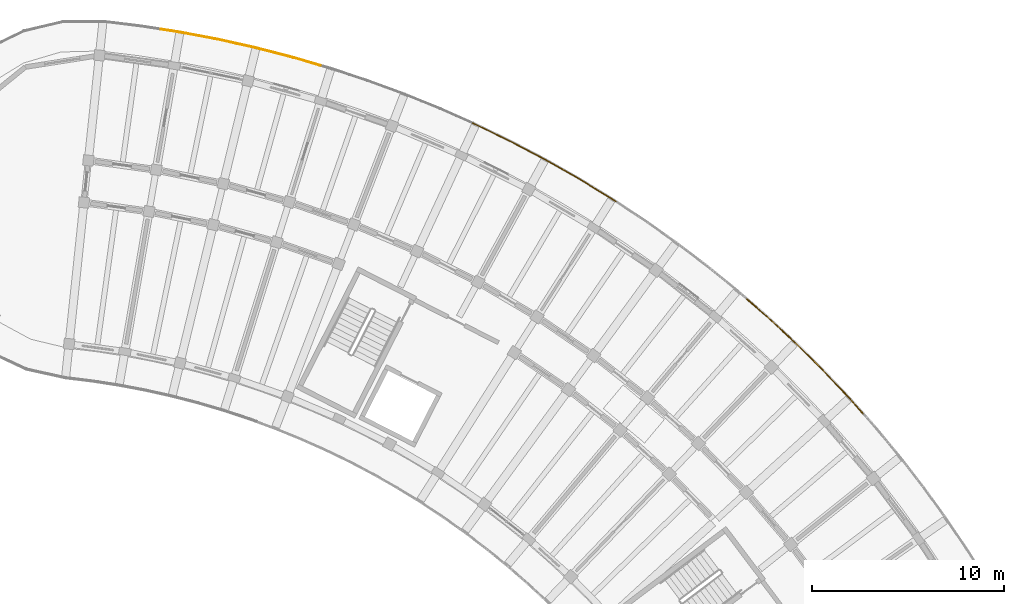
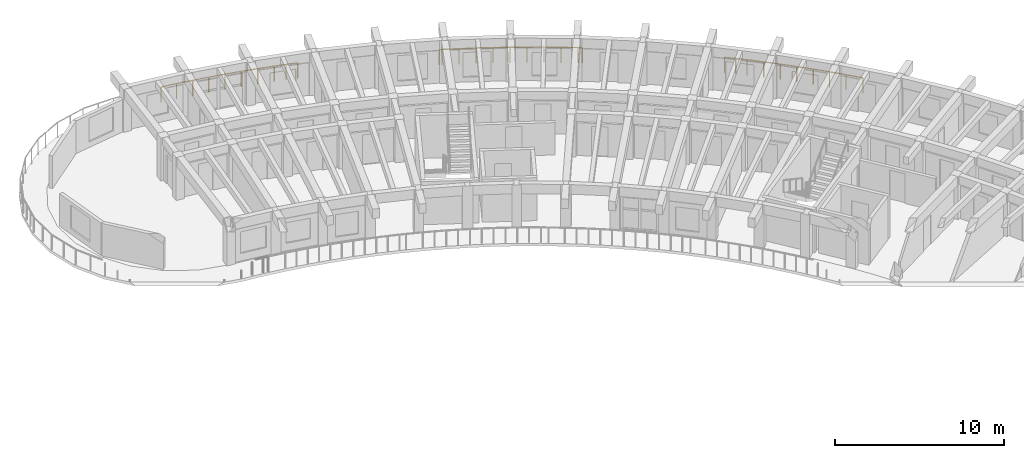
# One storey, part 81 of 81: 3 railings.
"""IFC4 building model written with IfcOpenShell, lengths in metres."""

from ifc_helpers import new_model, si_unit, direction, frame, origin, origin_2d, place, context, subcontext, project, spatial, circle, extrude, material, type_object, element, save


model = new_model("IFC4")

# Units and contexts
model_context = context("Model", 3, precision=1e-05, world=origin(), true_north=direction((0.0, 1.0)))
body_context = subcontext(model_context, "Body", "Model", "MODEL_VIEW")
ifc_project = project(units=[si_unit("LENGTHUNIT", "METRE"), si_unit("AREAUNIT", "SQUARE_METRE"), si_unit("VOLUMEUNIT", "CUBIC_METRE"), si_unit("PLANEANGLEUNIT", "RADIAN"), si_unit("MASSUNIT", "GRAM", prefix="KILO")], contexts=[model_context])

# Site, building, storey
site_placement = place(None, origin())
site = spatial("IfcSite", under=ifc_project, at=site_placement, CompositionType="ELEMENT")
building_placement = place(site_placement, origin())
building = spatial("IfcBuilding", under=site, at=building_placement, Name="Tanwirah Colonnade Gardens", CompositionType="ELEMENT")
storey_placement = place(building_placement, frame((0.0, 0.0, 18.919921875)))
storey = spatial("IfcBuildingStorey", under=building, at=storey_placement, Name="L05", CompositionType="ELEMENT", Elevation=18.919921875)

# Railings
ifc_material = material(Name="Precast concrete C40/50", Category="concrete")
railing_type = type_object("IfcRailingType", Name="BAL-EXT112", PredefinedType="BALUSTRADE", material=ifc_material)
railing_1_placement = place(storey_placement, frame((130.427734375, 120.782470703125, 0.0)))
element("IfcRailing", 1, at=railing_1_placement, inside=storey, type_object=railing_type, Name="Block B L05 Balcony Ribbon Balustrade 11", PredefinedType="BALUSTRADE", context=body_context, shape_type="SweptSolid", body=[
    extrude(circle(Radius=0.02392578125, at=origin_2d()), frame((0.031005859375, -0.0048828125, 1.09619140625), z_axis=(0.988127200794, -0.153638000024, 0.0), x_axis=(0.153638000024, 0.988127200794, 0.0)), (0.0, 0.0, 1.0), 0.935302734375),
    extrude(circle(Radius=0.02392578125, at=origin_2d()), frame((1.016845703125, -0.1591796875, 1.09619140625), z_axis=(0.982549371225, -0.186001970705, 0.0), x_axis=(0.186001970705, 0.982549371225, 0.0)), (0.0, 0.0, 1.0), 1.958740234375),
    extrude(circle(Radius=0.02392578125, at=origin_2d()), frame((3.002685546875, -0.5361328125, 1.09619140625), z_axis=(0.975867729966, -0.218362482151, 0.0), x_axis=(0.218362482151, 0.975867729966, 0.0)), (0.0, 0.0, 1.0), 1.958984375),
    extrude(circle(Radius=0.02392578125, at=origin_2d()), frame((4.97509765625, -0.978515625, 1.09619140625), z_axis=(0.968157509899, -0.250341838346, 0.0), x_axis=(0.250341838346, 0.968157509899, 0.0)), (0.0, 0.0, 1.0), 1.959228515625),
    extrude(circle(Radius=0.02392578125, at=origin_2d()), frame((6.93212890625, -1.485595703125, 1.09619140625), z_axis=(0.959341160032, -0.282249072043, 0.0), x_axis=(0.282249072043, 0.959341160032, 0.0)), (0.0, 0.0, 1.0), 1.375),
    extrude(circle(Radius=0.02099609375, at=origin_2d()), origin(), (0.0, 0.0, 1.0), 1.069091796875),
    extrude(circle(Radius=0.02099609375, at=origin_2d()), frame((0.986083984375, -0.1533203125, 0.0)), (0.0, 0.0, 1.0), 1.069091796875),
    extrude(circle(Radius=0.02099609375, at=origin_2d()), frame((1.97900390625, -0.34130859375, 0.0)), (0.0, 0.0, 1.0), 1.069091796875),
    extrude(circle(Radius=0.02099609375, at=origin_2d()), frame((2.97216796875, -0.529296875, 0.0)), (0.0, 0.0, 1.0), 1.069091796875),
    extrude(circle(Radius=0.02099609375, at=origin_2d()), frame((3.95849609375, -0.75, 0.0)), (0.0, 0.0, 1.0), 1.069091796875),
    extrude(circle(Radius=0.02099609375, at=origin_2d()), frame((4.94482421875, -0.970703125, 0.0)), (0.0, 0.0, 1.0), 1.069091796875),
    extrude(circle(Radius=0.02099609375, at=origin_2d()), frame((5.92333984375, -1.2236328125, 0.0)), (0.0, 0.0, 1.0), 1.069091796875),
    extrude(circle(Radius=0.02099609375, at=origin_2d()), frame((6.902099609375, -1.476806640625, 0.0)), (0.0, 0.0, 1.0), 1.069091796875),
    extrude(circle(Radius=0.02099609375, at=origin_2d()), frame((7.591796875, -1.6796875, 0.0)), (0.0, 0.0, 1.0), 1.069091796875),
    extrude(circle(Radius=0.02099609375, at=origin_2d()), frame((8.28125, -1.882568359375, 0.0)), (0.0, 0.0, 1.0), 1.069091796875),
])
railing_2_placement = place(storey_placement, frame((146.652099609375, 115.893798828125, 0.0)))
element("IfcRailing", 2, at=railing_2_placement, inside=storey, type_object=railing_type, Name="Block B L05 Balcony Ribbon Balustrade 13", PredefinedType="BALUSTRADE", context=body_context, shape_type="SweptSolid", body=[
    extrude(circle(Radius=0.02392578125, at=origin_2d()), frame((0.028564453125, -0.0126953125, 1.09619140625), z_axis=(0.913930211461, -0.405871369499, 0.0), x_axis=(0.405871369499, 0.913930211461, 0.0)), (0.0, 0.0, 1.0), 0.107177734375),
    extrude(circle(Radius=0.02392578125, at=origin_2d()), frame((0.18310546875, -0.08251953125, 1.09619140625), z_axis=(0.900055350621, -0.435775591122, 0.0), x_axis=(0.435775591122, 0.900055350621, 0.0)), (0.0, 0.0, 1.0), 1.958740234375),
    extrude(circle(Radius=0.02392578125, at=origin_2d()), frame((2.001953125, -0.96435546875, 1.09619140625), z_axis=(0.885211446817, -0.465188880374, 0.0), x_axis=(0.465188880374, 0.885211446817, 0.0)), (0.0, 0.0, 1.0), 1.958984375),
    extrude(circle(Radius=0.02392578125, at=origin_2d()), frame((3.791015625, -1.905517578125, 1.09619140625), z_axis=(0.869392881113, -0.494121461049, 0.0), x_axis=(0.494121461049, 0.869392881113, 0.0)), (0.0, 0.0, 1.0), 1.958740234375),
    extrude(circle(Radius=0.02392578125, at=origin_2d()), frame((5.5478515625, -2.9052734375, 1.09619140625), z_axis=(0.852660263329, -0.522465764754, 0.0), x_axis=(0.522465764754, 0.852660263329, 0.0)), (0.0, 0.0, 1.0), 1.958984375),
    extrude(circle(Radius=0.02392578125, at=origin_2d()), frame((7.27099609375, -3.962158203125, 1.09619140625), z_axis=(0.834958204617, -0.550313362134, 0.0), x_axis=(0.550313362134, 0.834958204617, 0.0)), (0.0, 0.0, 1.0), 0.181884765625),
    extrude(circle(Radius=0.02099609375, at=origin_2d()), origin(), (0.0, 0.0, 1.0), 1.069091796875),
    extrude(circle(Radius=0.02099609375, at=origin_2d()), frame((0.155029296875, -0.06884765625, 0.0)), (0.0, 0.0, 1.0), 1.069091796875),
    extrude(circle(Radius=0.02099609375, at=origin_2d()), frame((1.064697265625, -0.50927734375, 0.0)), (0.0, 0.0, 1.0), 1.069091796875),
    extrude(circle(Radius=0.02099609375, at=origin_2d()), frame((1.974365234375, -0.94970703125, 0.0)), (0.0, 0.0, 1.0), 1.069091796875),
    extrude(circle(Radius=0.02099609375, at=origin_2d()), frame((2.869140625, -1.419921875, 0.0)), (0.0, 0.0, 1.0), 1.069091796875),
    extrude(circle(Radius=0.02099609375, at=origin_2d()), frame((3.763916015625, -1.89013671875, 0.0)), (0.0, 0.0, 1.0), 1.069091796875),
    extrude(circle(Radius=0.02099609375, at=origin_2d()), frame((4.642578125, -2.3896484375, 0.0)), (0.0, 0.0, 1.0), 1.069091796875),
    extrude(circle(Radius=0.02099609375, at=origin_2d()), frame((5.521240234375, -2.888916015625, 0.0)), (0.0, 0.0, 1.0), 1.069091796875),
    extrude(circle(Radius=0.02099609375, at=origin_2d()), frame((6.383056640625, -3.4169921875, 0.0)), (0.0, 0.0, 1.0), 1.069091796875),
    extrude(circle(Radius=0.02099609375, at=origin_2d()), frame((7.244873046875, -3.945068359375, 0.0)), (0.0, 0.0, 1.0), 1.069091796875),
    extrude(circle(Radius=0.02099609375, at=origin_2d()), frame((7.448974609375, -4.07958984375, 0.0)), (0.0, 0.0, 1.0), 1.069091796875),
])
railing_3_placement = place(storey_placement, frame((160.913330078125, 106.7421875, 0.0)))
element("IfcRailing", 3, at=railing_3_placement, inside=storey, type_object=railing_type, Name="Block B L05 Balcony Ribbon Balustrade 15", PredefinedType="BALUSTRADE", context=body_context, shape_type="SweptSolid", body=[
    extrude(circle(Radius=0.02392578125, at=origin_2d()), frame((0.023681640625, -0.0205078125, 1.09619140625), z_axis=(0.755322467302, -0.655353317218, 0.0), x_axis=(0.655353317218, 0.755322467302, 0.0)), (0.0, 0.0, 1.0), 1.30029296875),
    extrude(circle(Radius=0.02392578125, at=origin_2d()), frame((1.05224609375, -0.914306640625, 1.09619140625), z_axis=(0.733352454033, -0.679848643569, 0.0), x_axis=(0.679848643569, 0.733352454033, 0.0)), (0.0, 0.0, 1.0), 1.958984375),
    extrude(circle(Radius=0.02392578125, at=origin_2d()), frame((2.533935546875, -2.289306640625, 1.09619140625), z_axis=(0.710480209462, -0.703717181801, 0.0), x_axis=(0.703717181801, 0.710480209462, 0.0)), (0.0, 0.0, 1.0), 1.958984375),
    extrude(circle(Radius=0.02392578125, at=origin_2d()), frame((3.969482421875, -3.712646484375, 1.09619140625), z_axis=(0.686960364449, -0.726694886232, 0.0), x_axis=(0.726694886232, 0.686960364449, 0.0)), (0.0, 0.0, 1.0), 1.958984375),
    extrude(circle(Radius=0.02392578125, at=origin_2d()), frame((5.357421875, -5.182373046875, 1.09619140625), z_axis=(0.662667168974, -0.748914029221, 0.0), x_axis=(0.748914029221, 0.662667168974, 0.0)), (0.0, 0.0, 1.0), 1.01025390625),
    extrude(circle(Radius=0.02099609375, at=origin_2d()), origin(), (0.0, 0.0, 1.0), 1.069091796875),
    extrude(circle(Radius=0.02099609375, at=origin_2d()), frame((0.5146484375, -0.446533203125, 0.0)), (0.0, 0.0, 1.0), 1.069091796875),
    extrude(circle(Radius=0.02099609375, at=origin_2d()), frame((1.029296875, -0.89306640625, 0.0)), (0.0, 0.0, 1.0), 1.069091796875),
    extrude(circle(Radius=0.02099609375, at=origin_2d()), frame((1.7705078125, -1.580078125, 0.0)), (0.0, 0.0, 1.0), 1.069091796875),
    extrude(circle(Radius=0.02099609375, at=origin_2d()), frame((2.51171875, -2.267333984375, 0.0)), (0.0, 0.0, 1.0), 1.069091796875),
    extrude(circle(Radius=0.02099609375, at=origin_2d()), frame((3.22998046875, -2.978515625, 0.0)), (0.0, 0.0, 1.0), 1.069091796875),
    extrude(circle(Radius=0.02099609375, at=origin_2d()), frame((3.947998046875, -3.68994140625, 0.0)), (0.0, 0.0, 1.0), 1.069091796875),
    extrude(circle(Radius=0.02099609375, at=origin_2d()), frame((4.642333984375, -4.42431640625, 0.0)), (0.0, 0.0, 1.0), 1.069091796875),
    extrude(circle(Radius=0.02099609375, at=origin_2d()), frame((5.336669921875, -5.158935546875, 0.0)), (0.0, 0.0, 1.0), 1.069091796875),
    extrude(circle(Radius=0.02099609375, at=origin_2d()), frame((6.047607421875, -5.96240234375, 0.0)), (0.0, 0.0, 1.0), 1.069091796875),
])

save(model, "model.ifc")
